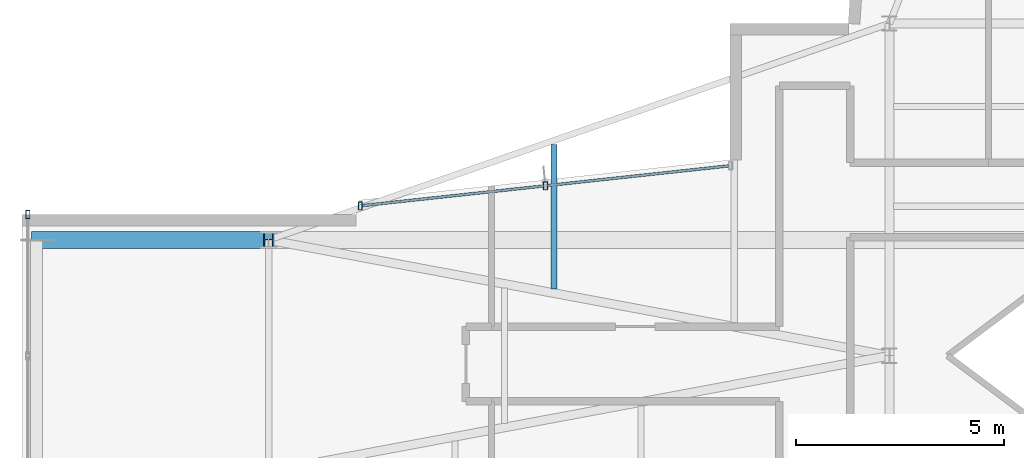
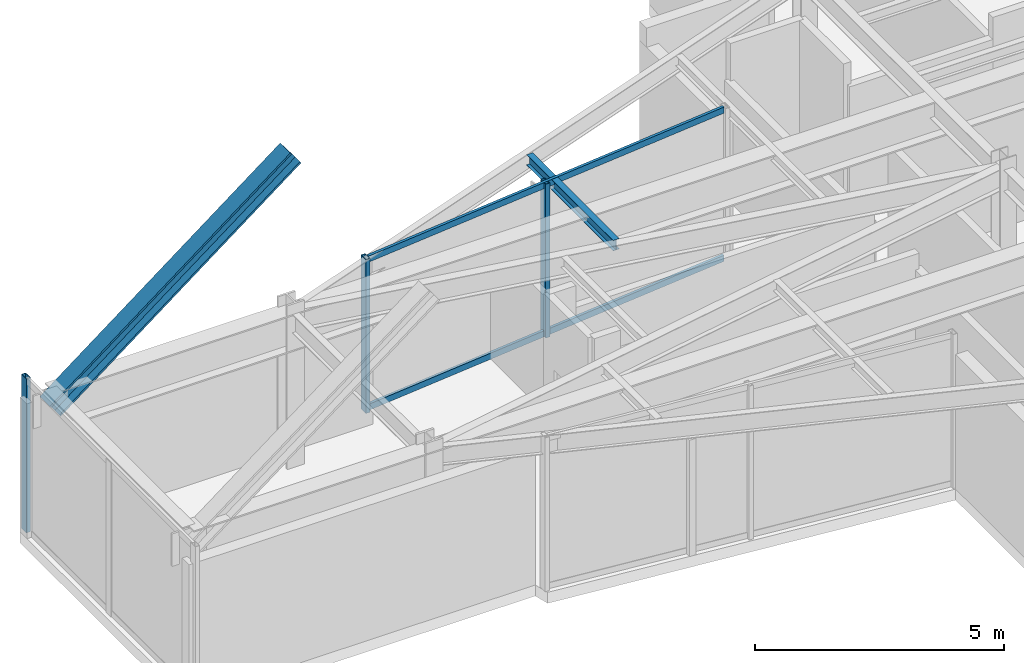
# One storey, part 5 of 16: 6 members, 1 beam, 2 elements without a shape of their own.
"""IFC4 building model written with IfcOpenShell, lengths in metres."""

from ifc_helpers import new_model, si_unit, direction, frame, origin, origin_2d, place, context, subcontext, project, spatial, hollow_rectangle, i_section, extrude, material, layer, layer_set, material_profile, profile_set, type_object, element, aggregate, save


model = new_model("IFC4")

# Units and contexts
model_context = context("Model", 3, precision=1e-05, world=origin(), true_north=direction((0.0, 1.0)))
body_context = subcontext(model_context, "Body", "Model", "MODEL_VIEW")
ifc_project = project(units=[si_unit("LENGTHUNIT", "METRE"), si_unit("AREAUNIT", "SQUARE_METRE"), si_unit("VOLUMEUNIT", "CUBIC_METRE"), si_unit("PLANEANGLEUNIT", "RADIAN"), si_unit("MASSUNIT", "GRAM", prefix="KILO")], contexts=[model_context])

# Site, building, storey
site_placement = place(None, origin())
site = spatial("IfcSite", under=ifc_project, at=site_placement, CompositionType="ELEMENT")
building_placement = place(site_placement, origin())
building = spatial("IfcBuilding", under=site, at=building_placement, Name="Veymaron Broadcast Tower", CompositionType="ELEMENT")
storey_placement = place(building_placement, frame((0.0, 0.0, 315.449951171875)))
storey = spatial("IfcBuildingStorey", under=building, at=storey_placement, Name="L74", CompositionType="ELEMENT", Elevation=315.449951171875)

# Beam
ifc_material_1 = material(Name="Structural steel ASTM A992 Gr 50", Category="steel")
ifc_material_profile_1 = material_profile(ifc_material_1, i_section(OverallWidth=0.14599609375, OverallDepth=0.258056640625, WebThickness=0.006103515625, FlangeThickness=0.009033203125, at=origin_2d()), Name="W250X33")
ifc_profile_set_1 = profile_set([ifc_material_profile_1], Name="Structural steel ASTM A992 Gr 50")
beam_type = type_object("IfcBeamType", Name="BM-JS4", PredefinedType="JOIST", material=ifc_profile_set_1)
beam_placement = place(storey_placement, frame((23.12451171875, 25.60546875, 3.651123046875), z_axis=(0.0, 1.0, 0.0), x_axis=(-1.0, 0.0, 0.0)))
element("IfcBeam", 1, at=beam_placement, inside=storey, type_object=beam_type, Name="L74 Arm-A secondary joist 1N", PredefinedType="JOIST", context=body_context, shape_type="SweptSolid", body=[
    extrude(i_section(OverallWidth=0.14599609375, OverallDepth=0.258056640625, WebThickness=0.006103515625, FlangeThickness=0.009033203125, at=origin_2d()), origin(), (0.0, 0.0, 1.0), 3.47998046875),
])

# Curtain wall, members
ifc_material_2 = material(Name="Anodised aluminium AA 6063-T6 and laminated low-E dark glass", Category="aluminium")
ifc_layer = layer(ifc_material_2, 0.179931640625)
ifc_layer_set = layer_set([ifc_layer], Name="Anodised aluminium AA 6063-T6 and laminated low-E dark glass")
curtain_wall_type = type_object("IfcCurtainWallType", Name="CW-SYS-07", PredefinedType="NOTDEFINED", material=ifc_layer_set)
curtain_wall_1_placement = place(storey_placement, origin())
curtain_wall_1 = element("IfcCurtainWall", 2, at=curtain_wall_1_placement, inside=storey, type_object=curtain_wall_type, Name="L74 dark-glass curtain wall CW-L74-E19-1", PredefinedType="NOTDEFINED")
ifc_material_3 = material(Name="Anodised aluminium AA 6063-T6", Category="aluminium")
ifc_material_profile_2 = material_profile(ifc_material_3, hollow_rectangle(XDim=0.10009765625, YDim=0.199951171875, WallThickness=0.010009765625, at=origin_2d()), Name="RHS200X100X10")
ifc_profile_set_2 = profile_set([ifc_material_profile_2], Name="Anodised aluminium AA 6063-T6")
member_type_1 = type_object("IfcMemberType", Name="CW-MUL-01", PredefinedType="MULLION", material=ifc_profile_set_2)
member_1_placement = place(storey_placement, frame((22.914306640625, 28.0927734375, 0.0), z_axis=(0.0, 0.0, 1.0), x_axis=(1.0, 0.0, 0.0)))
member_1 = element("IfcMember", 3, at=member_1_placement, type_object=member_type_1, Name="CW-L74-E19-1 mullion 1", PredefinedType="MULLION", context=body_context, shape_type="SweptSolid", body=[
    extrude(hollow_rectangle(XDim=0.10009765625, YDim=0.199951171875, WallThickness=0.010009765625, at=origin_2d()), origin(), (0.0, 0.0, 1.0), 3.780029296875),
])
member_2_placement = place(storey_placement, frame((18.455078125, 27.609375, 0.0), z_axis=(0.0, 0.0, 1.0), x_axis=(1.0, 0.0, 0.0)))
member_2 = element("IfcMember", 4, at=member_2_placement, type_object=member_type_1, Name="CW-L74-E19-1 mullion 2", PredefinedType="MULLION", context=body_context, shape_type="SweptSolid", body=[
    extrude(hollow_rectangle(XDim=0.10009765625, YDim=0.199951171875, WallThickness=0.010009765625, at=origin_2d()), origin(), (0.0, 0.0, 1.0), 3.780029296875),
])

# Curtain wall, member
curtain_wall_2_placement = place(storey_placement, origin())
curtain_wall_2 = element("IfcCurtainWall", 5, at=curtain_wall_2_placement, inside=storey, type_object=curtain_wall_type, Name="L74 dark-glass curtain wall CW-L74-E22-1", PredefinedType="NOTDEFINED")
member_3_placement = place(storey_placement, frame((10.44873046875, 27.39990234375, 0.0), z_axis=(0.0, 0.0, 1.0), x_axis=(1.0, 0.0, 0.0)))
member_3 = element("IfcMember", 6, at=member_3_placement, type_object=member_type_1, Name="CW-L74-E22-1 mullion 0", PredefinedType="MULLION", context=body_context, shape_type="SweptSolid", body=[
    extrude(hollow_rectangle(XDim=0.10009765625, YDim=0.199951171875, WallThickness=0.010009765625, at=origin_2d()), origin(), (0.0, 0.0, 1.0), 3.780029296875),
])
aggregate(curtain_wall_2, [member_3])

# Member
ifc_material_profile_3 = material_profile(ifc_material_3, hollow_rectangle(XDim=0.06494140625, YDim=0.14990234375, WallThickness=0.00390625, at=origin_2d()), Name="AL150X65X4")
ifc_profile_set_3 = profile_set([ifc_material_profile_3], Name="Anodised aluminium AA 6063-T6")
member_type_2 = type_object("IfcMemberType", Name="CW-TRN-01", PredefinedType="USERDEFINED", material=ifc_profile_set_3)
member_4_placement = place(storey_placement, frame((27.32373046875, 28.57080078125, 0.070068359375), z_axis=(-0.994174890064, -0.107778884599, 0.0), x_axis=(0.107778884599, -0.994174890064, 0.0)))
member_4 = element("IfcMember", 7, at=member_4_placement, type_object=member_type_2, Name="CW-L74-E19-1 transom B", ObjectType="TRANSOM", PredefinedType="USERDEFINED", context=body_context, shape_type="SweptSolid", body=[
    extrude(hollow_rectangle(XDim=0.06494140625, YDim=0.14990234375, WallThickness=0.00390625, at=origin_2d()), origin(), (0.0, 0.0, 1.0), 8.87060546875),
])

member_5_placement = place(storey_placement, frame((27.32373046875, 28.57080078125, 3.7099609375), z_axis=(-0.994174890064, -0.107778884599, 0.0), x_axis=(0.107778884599, -0.994174890064, 0.0)))
member_5 = element("IfcMember", 8, at=member_5_placement, type_object=member_type_2, Name="CW-L74-E19-1 transom T", ObjectType="TRANSOM", PredefinedType="USERDEFINED", context=body_context, shape_type="SweptSolid", body=[
    extrude(hollow_rectangle(XDim=0.06494140625, YDim=0.14990234375, WallThickness=0.00390625, at=origin_2d()), origin(), (0.0, 0.0, 1.0), 8.87060546875),
])

aggregate(curtain_wall_1, [member_1, member_2, member_4, member_5])

ifc_material_4 = material(Name="Structural steel ASTM A913 Gr 65", Category="steel")
ifc_material_profile_4 = material_profile(ifc_material_4, i_section(OverallWidth=0.406005859375, OverallDepth=0.416015625, WebThickness=0.02978515625, FlangeThickness=0.048095703125, at=origin_2d()), Name="W360X382")
ifc_profile_set_4 = profile_set([ifc_material_profile_4], Name="Structural steel ASTM A913 Gr 65")
member_type_3 = type_object("IfcMemberType", Name="MEM-OT2", PredefinedType="BRACE", material=ifc_profile_set_4)
member_6_placement = place(storey_placement, frame((10.65869140625, 26.7880859375, 3.330078125), z_axis=(0.794517453877, 0.0, 0.607241315693), x_axis=(0.0, 1.0, 0.0)))
element("IfcMember", 9, at=member_6_placement, inside=storey, type_object=member_type_3, Name="L74-L75 Sky-Lounge Cantilever Truss Diagonal N", PredefinedType="BRACE", context=body_context, shape_type="SweptSolid", body=[
    extrude(i_section(OverallWidth=0.406005859375, OverallDepth=0.416015625, WebThickness=0.02978515625, FlangeThickness=0.048095703125, at=origin_2d()), origin(), (0.0, 0.0, 1.0), 7.03173828125),
])

save(model, "model.ifc")
